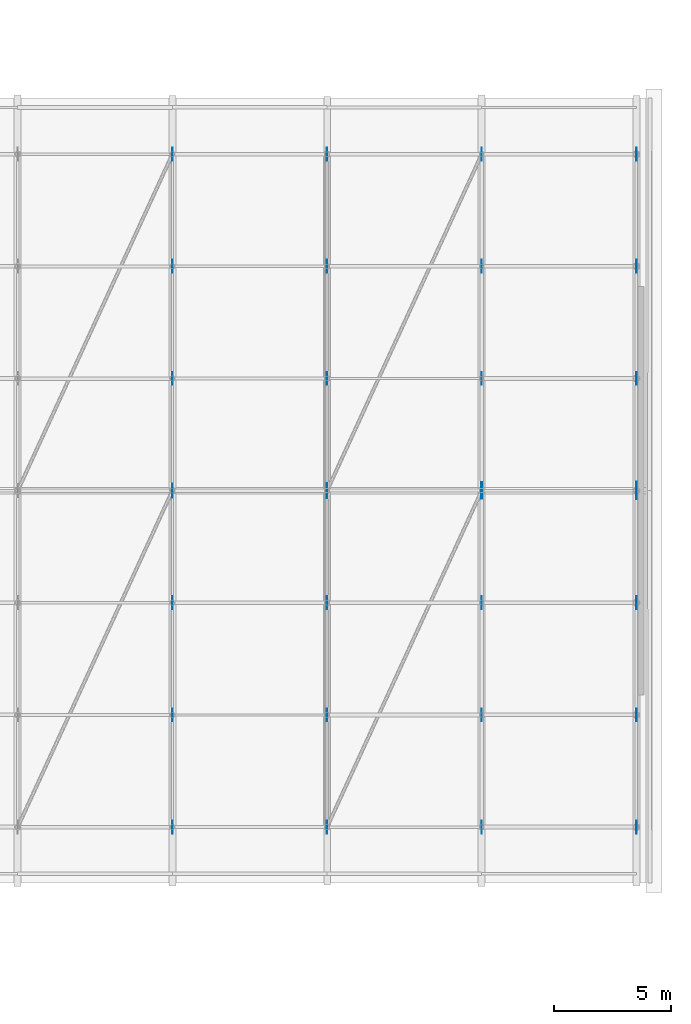
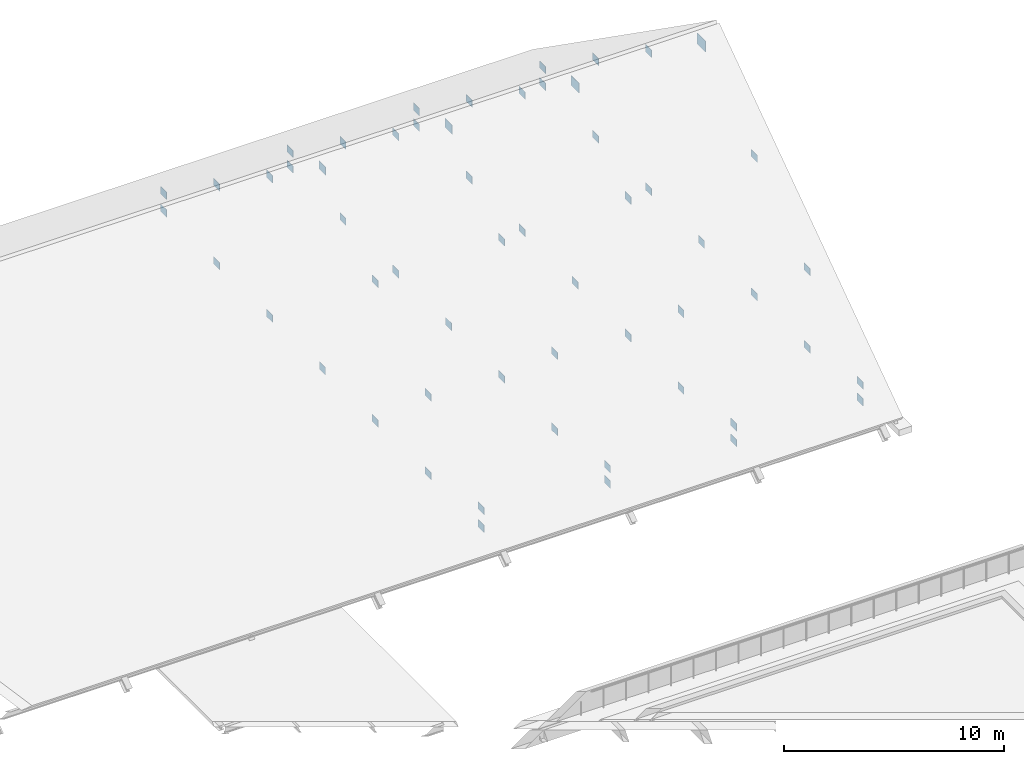
# One storey, part 111 of 134: 56 plates.
"""IFC4 building model written with IfcOpenShell, lengths in metres."""

from ifc_helpers import new_model, si_unit, direction, frame, origin, origin_2d, place, context, subcontext, project, spatial, rectangle, extrude, material, layer, layer_set, type_object, element, save


model = new_model("IFC4")

# Units and contexts
model_context = context("Model", 3, precision=1e-05, world=origin(), true_north=direction((0.0, 1.0)))
body_context = subcontext(model_context, "Body", "Model", "MODEL_VIEW")
ifc_project = project(units=[si_unit("LENGTHUNIT", "METRE"), si_unit("AREAUNIT", "SQUARE_METRE"), si_unit("VOLUMEUNIT", "CUBIC_METRE"), si_unit("PLANEANGLEUNIT", "RADIAN"), si_unit("MASSUNIT", "GRAM", prefix="KILO")], contexts=[model_context])

# Site, building, storey
site_placement = place(None, origin())
site = spatial("IfcSite", under=ifc_project, at=site_placement, CompositionType="ELEMENT")
building_placement = place(site_placement, origin())
building = spatial("IfcBuilding", under=site, at=building_placement, Name="Asteropetra Specialist Clinic", CompositionType="ELEMENT")
storey_placement = place(building_placement, frame((0.0, 0.0, 8.5)))
storey = spatial("IfcBuildingStorey", under=building, at=storey_placement, Name="L02", CompositionType="ELEMENT", Elevation=8.5)

# Plates
ifc_material_1 = material(Name="Steel S355", Category="steel")
ifc_layer_1 = layer(ifc_material_1, 0.02001953125)
ifc_layer_set_1 = layer_set([ifc_layer_1], Name="Steel S355")
plate_type_1 = type_object("IfcPlateType", Name="PLT-GUS-01", PredefinedType="SHEET", material=ifc_layer_set_1)
plate_1_placement = place(storey_placement, frame((133.239990234375, 91.199951171875, 11.23583984375), z_axis=(0.0, 0.0, 1.0), x_axis=(1.0, 0.0, 0.0)))
element("IfcPlate", 1, at=plate_1_placement, inside=storey, type_object=plate_type_1, Name="Truss Ridge Gusset GP-TRV1-08", PredefinedType="SHEET", context=body_context, shape_type="SweptSolid", body=[
    extrude(rectangle(XDim=0.02001953125, YDim=0.60009765625, at=origin_2d()), origin(), (0.0, 0.0, 1.0), 0.449951171875),
])
ifc_material_2 = material(Name="Steel S355", Category="steel")
ifc_layer_2 = layer(ifc_material_2, 0.02197265625)
ifc_layer_set_2 = layer_set([ifc_layer_2], Name="Steel S355")
plate_type_2 = type_object("IfcPlateType", Name="PLT-GUS-02", PredefinedType="SHEET", material=ifc_layer_set_2)
plate_2_placement = place(storey_placement, frame((139.860107421875, 91.199951171875, 11.2109375), z_axis=(0.0, 0.0, 1.0), x_axis=(1.0, 0.0, 0.0)))
element("IfcPlate", 2, at=plate_2_placement, inside=storey, type_object=plate_type_2, Name="Truss Ridge Gusset GP-TRV1-09", PredefinedType="SHEET", context=body_context, shape_type="SweptSolid", body=[
    extrude(rectangle(XDim=0.02197265625, YDim=0.64990234375, at=origin_2d()), origin(), (0.0, 0.0, 1.0), 0.5),
])
ifc_material_3 = material(Name="Steel S355", Category="steel")
ifc_layer_3 = layer(ifc_material_3, 0.02392578125)
ifc_layer_set_3 = layer_set([ifc_layer_3], Name="Steel S355")
plate_type_3 = type_object("IfcPlateType", Name="PLT-GUS-03", PredefinedType="SHEET", material=ifc_layer_set_3)
plate_3_placement = place(storey_placement, frame((146.47998046875, 91.199951171875, 11.18603515625), z_axis=(0.0, 0.0, 1.0), x_axis=(1.0, 0.0, 0.0)))
element("IfcPlate", 3, at=plate_3_placement, inside=storey, type_object=plate_type_3, Name="Truss Ridge Gusset GP-TRV1-10", PredefinedType="SHEET", context=body_context, shape_type="SweptSolid", body=[
    extrude(rectangle(XDim=0.02392578125, YDim=0.699951171875, at=origin_2d()), origin(), (0.0, 0.0, 1.0), 0.550048828125),
])
ifc_material_4 = material(Name="Steel S355", Category="steel")
ifc_layer_4 = layer(ifc_material_4, 0.02490234375)
ifc_layer_set_4 = layer_set([ifc_layer_4], Name="Steel S355")
plate_type_4 = type_object("IfcPlateType", Name="PLT-GUS-04", PredefinedType="SHEET", material=ifc_layer_set_4)
plate_4_placement = place(storey_placement, frame((153.10009765625, 91.199951171875, 11.160888671875), z_axis=(0.0, 0.0, 1.0), x_axis=(1.0, 0.0, 0.0)))
element("IfcPlate", 4, at=plate_4_placement, inside=storey, type_object=plate_type_4, Name="Truss Ridge Gusset GP-TRV1-11", PredefinedType="SHEET", context=body_context, shape_type="SweptSolid", body=[
    extrude(rectangle(XDim=0.02490234375, YDim=0.75, at=origin_2d()), origin(), (0.0, 0.0, 1.0), 0.60009765625),
])
ifc_material_5 = material(Name="Steel S355", Category="steel")
ifc_layer_5 = layer(ifc_material_5, 0.01806640625)
ifc_layer_set_5 = layer_set([ifc_layer_5], Name="Steel S355")
plate_type_5 = type_object("IfcPlateType", Name="PLT-GUS-08", PredefinedType="SHEET", material=ifc_layer_set_5)
for number, where, z_axis, x_axis, name in (
    (5, (133.239990234375, 76.800048828125, 0.170166015625), (0.0, 0.0, 1.0), (1.0, 0.0, 0.0), "Truss Bottom Chord Gusset GPB-V108-0"),
    (6, (133.239990234375, 76.800048828125, 1.146728515625), (0.0, 0.0, 1.0), (1.0, 0.0, 0.0), "Truss Top Chord Gusset GPT-V108-0"),
    (7, (133.239990234375, 81.60009765625, 0.170166015625), (0.0, 0.0, 1.0), (1.0, 0.0, 0.0), "Truss Bottom Chord Gusset GPB-V108-1"),
    (8, (133.239990234375, 81.60009765625, 4.51806640625), (0.0, 0.0, 1.0), (1.0, 0.0, 0.0), "Truss Top Chord Gusset GPT-V108-1"),
    (9, (133.239990234375, 86.39990234375, 0.170166015625), (0.0, 0.0, 1.0), (1.0, 0.0, 0.0), "Truss Bottom Chord Gusset GPB-V108-2"),
    (10, (133.239990234375, 86.39990234375, 7.8896484375), (0.0, 0.0, 1.0), (1.0, 0.0, 0.0), "Truss Top Chord Gusset GPT-V108-2"),
    (11, (133.239990234375, 91.199951171875, 0.170166015625), (0.0, 0.0, 1.0), (1.0, 0.0, 0.0), "Truss Bottom Chord Gusset GPB-V108-3"),
    (12, (133.239990234375, 96.0, 0.170166015625), (0.0, 0.0, 1.0), (1.0, 0.0, 0.0), "Truss Bottom Chord Gusset GPB-V108-4"),
    (13, (133.239990234375, 96.0, 7.8896484375), (0.0, 0.0, 1.0), (1.0, 0.0, 0.0), "Truss Top Chord Gusset GPT-V108-4"),
    (14, (133.239990234375, 100.800048828125, 0.170166015625), (0.0, 0.0, 1.0), (1.0, 0.0, 0.0), "Truss Bottom Chord Gusset GPB-V108-5"),
    (15, (133.239990234375, 100.800048828125, 4.51806640625), (0.0, 0.0, 1.0), (1.0, 0.0, 0.0), "Truss Top Chord Gusset GPT-V108-5"),
    (16, (133.239990234375, 105.60009765625, 0.170166015625), (0.0, 0.0, 1.0), (1.0, 0.0, 0.0), "Truss Bottom Chord Gusset GPB-V108-6"),
    (17, (133.239990234375, 105.60009765625, 1.146728515625), (0.0, 0.0, 1.0), (1.0, 0.0, 0.0), "Truss Top Chord Gusset GPT-V108-6"),
    (18, (139.860107421875, 76.800048828125, 0.295166015625), (0.0, 0.0, 1.0), (1.0, 0.0, 0.0), "Truss Bottom Chord Gusset GPB-V109-0"),
    (19, (139.860107421875, 76.800048828125, 1.146728515625), (0.0, 0.0, 1.0), (1.0, 0.0, 0.0), "Truss Top Chord Gusset GPT-V109-0"),
    (20, (139.860107421875, 81.60009765625, 0.295166015625), (0.0, 0.0, 1.0), (1.0, 0.0, 0.0), "Truss Bottom Chord Gusset GPB-V109-1"),
    (21, (139.860107421875, 81.60009765625, 4.51806640625), (0.0, 0.0, 1.0), (1.0, 0.0, 0.0), "Truss Top Chord Gusset GPT-V109-1"),
    (22, (139.860107421875, 86.39990234375, 0.295166015625), (0.0, 0.0, 1.0), (1.0, 0.0, 0.0), "Truss Bottom Chord Gusset GPB-V109-2"),
    (23, (139.860107421875, 86.39990234375, 7.8896484375), (0.0, 0.0, 1.0), (1.0, 0.0, 0.0), "Truss Top Chord Gusset GPT-V109-2"),
    (24, (139.860107421875, 91.199951171875, 0.295166015625), (0.0, 0.0, 1.0), (1.0, 0.0, 0.0), "Truss Bottom Chord Gusset GPB-V109-3"),
    (25, (139.860107421875, 96.0, 0.295166015625), (0.0, 0.0, 1.0), (1.0, 0.0, 0.0), "Truss Bottom Chord Gusset GPB-V109-4"),
    (26, (139.860107421875, 96.0, 7.8896484375), (0.0, 0.0, 1.0), (1.0, 0.0, 0.0), "Truss Top Chord Gusset GPT-V109-4"),
    (27, (139.860107421875, 100.800048828125, 0.295166015625), (0.0, 0.0, 1.0), (1.0, 0.0, 0.0), "Truss Bottom Chord Gusset GPB-V109-5"),
    (28, (139.860107421875, 100.800048828125, 4.51806640625), (0.0, 0.0, 1.0), (1.0, 0.0, 0.0), "Truss Top Chord Gusset GPT-V109-5"),
    (29, (139.860107421875, 105.60009765625, 0.295166015625), (0.0, 0.0, 1.0), (1.0, 0.0, 0.0), "Truss Bottom Chord Gusset GPB-V109-6"),
    (30, (139.860107421875, 105.60009765625, 1.146728515625), (0.0, 0.0, 1.0), (1.0, 0.0, 0.0), "Truss Top Chord Gusset GPT-V109-6"),
    (31, (146.47998046875, 76.800048828125, 0.27001953125), (0.0, 0.0, 1.0), (1.0, 0.0, 0.0), "Truss Bottom Chord Gusset GPB-V110-0"),
    (32, (146.47998046875, 76.800048828125, 1.146728515625), (0.0, 0.0, 1.0), (1.0, 0.0, 0.0), "Truss Top Chord Gusset GPT-V110-0"),
    (33, (146.47998046875, 81.60009765625, 0.27001953125), (0.0, 0.0, 1.0), (1.0, 0.0, 0.0), "Truss Bottom Chord Gusset GPB-V110-1"),
    (34, (146.47998046875, 81.60009765625, 4.51806640625), (0.0, 0.0, 1.0), (1.0, 0.0, 0.0), "Truss Top Chord Gusset GPT-V110-1"),
    (35, (146.47998046875, 86.39990234375, 0.27001953125), (0.0, 0.0, 1.0), (1.0, 0.0, 0.0), "Truss Bottom Chord Gusset GPB-V110-2"),
    (36, (146.47998046875, 86.39990234375, 7.8896484375), (0.0, 0.0, 1.0), (1.0, 0.0, 0.0), "Truss Top Chord Gusset GPT-V110-2"),
    (37, (146.47998046875, 91.199951171875, 0.27001953125), (0.0, 0.0, 1.0), (1.0, 0.0, 0.0), "Truss Bottom Chord Gusset GPB-V110-3"),
    (38, (146.47998046875, 96.0, 0.27001953125), (0.0, 0.0, 1.0), (1.0, 0.0, 0.0), "Truss Bottom Chord Gusset GPB-V110-4"),
    (39, (146.47998046875, 96.0, 7.8896484375), (0.0, 0.0, 1.0), (1.0, 0.0, 0.0), "Truss Top Chord Gusset GPT-V110-4"),
    (40, (146.47998046875, 100.800048828125, 0.27001953125), (0.0, 0.0, 1.0), (1.0, 0.0, 0.0), "Truss Bottom Chord Gusset GPB-V110-5"),
    (41, (146.47998046875, 100.800048828125, 4.51806640625), (0.0, 0.0, 1.0), (1.0, 0.0, 0.0), "Truss Top Chord Gusset GPT-V110-5"),
    (42, (146.47998046875, 105.60009765625, 0.27001953125), (0.0, 0.0, 1.0), (1.0, 0.0, 0.0), "Truss Bottom Chord Gusset GPB-V110-6"),
    (43, (146.47998046875, 105.60009765625, 1.146728515625), (0.0, 0.0, 1.0), (1.0, 0.0, 0.0), "Truss Top Chord Gusset GPT-V110-6"),
    (44, (153.10009765625, 76.800048828125, 0.219970703125), (0.0, 0.0, 1.0), (1.0, 0.0, 0.0), "Truss Bottom Chord Gusset GPB-V111-0"),
    (45, (153.10009765625, 76.800048828125, 1.146728515625), (0.0, 0.0, 1.0), (1.0, 0.0, 0.0), "Truss Top Chord Gusset GPT-V111-0"),
    (46, (153.10009765625, 81.60009765625, 0.219970703125), (0.0, 0.0, 1.0), (1.0, 0.0, 0.0), "Truss Bottom Chord Gusset GPB-V111-1"),
    (47, (153.10009765625, 81.60009765625, 4.51806640625), (0.0, 0.0, 1.0), (1.0, 0.0, 0.0), "Truss Top Chord Gusset GPT-V111-1"),
    (48, (153.10009765625, 86.39990234375, 0.219970703125), (0.0, 0.0, 1.0), (1.0, 0.0, 0.0), "Truss Bottom Chord Gusset GPB-V111-2"),
    (49, (153.10009765625, 86.39990234375, 7.8896484375), (0.0, 0.0, 1.0), (1.0, 0.0, 0.0), "Truss Top Chord Gusset GPT-V111-2"),
    (50, (153.10009765625, 91.199951171875, 0.219970703125), (0.0, 0.0, 1.0), (1.0, 0.0, 0.0), "Truss Bottom Chord Gusset GPB-V111-3"),
    (51, (153.10009765625, 96.0, 0.219970703125), (0.0, 0.0, 1.0), (1.0, 0.0, 0.0), "Truss Bottom Chord Gusset GPB-V111-4"),
    (52, (153.10009765625, 96.0, 7.8896484375), (0.0, 0.0, 1.0), (1.0, 0.0, 0.0), "Truss Top Chord Gusset GPT-V111-4"),
    (53, (153.10009765625, 100.800048828125, 0.219970703125), (0.0, 0.0, 1.0), (1.0, 0.0, 0.0), "Truss Bottom Chord Gusset GPB-V111-5"),
    (54, (153.10009765625, 100.800048828125, 4.51806640625), (0.0, 0.0, 1.0), (1.0, 0.0, 0.0), "Truss Top Chord Gusset GPT-V111-5"),
    (55, (153.10009765625, 105.60009765625, 0.219970703125), (0.0, 0.0, 1.0), (1.0, 0.0, 0.0), "Truss Bottom Chord Gusset GPB-V111-6"),
    (56, (153.10009765625, 105.60009765625, 1.146728515625), (0.0, 0.0, 1.0), (1.0, 0.0, 0.0), "Truss Top Chord Gusset GPT-V111-6"),
):
    element("IfcPlate", number, at=place(storey_placement, frame(where, z_axis=z_axis, x_axis=x_axis)), inside=storey, type_object=plate_type_5, Name=name, PredefinedType="SHEET", context=body_context, shape_type="SweptSolid", body=[
        extrude(rectangle(XDim=0.01806640625, YDim=0.550048828125, at=origin_2d()), origin(), (0.0, 0.0, 1.0), 0.39990234375),
    ])

save(model, "model.ifc")
